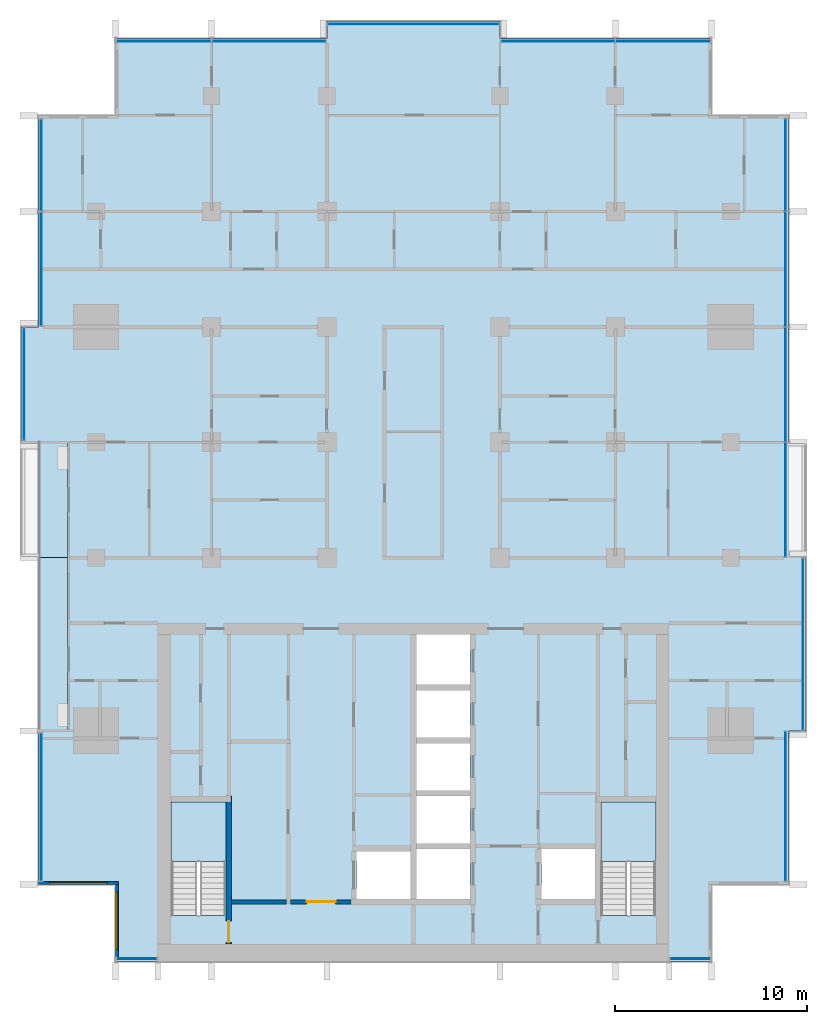
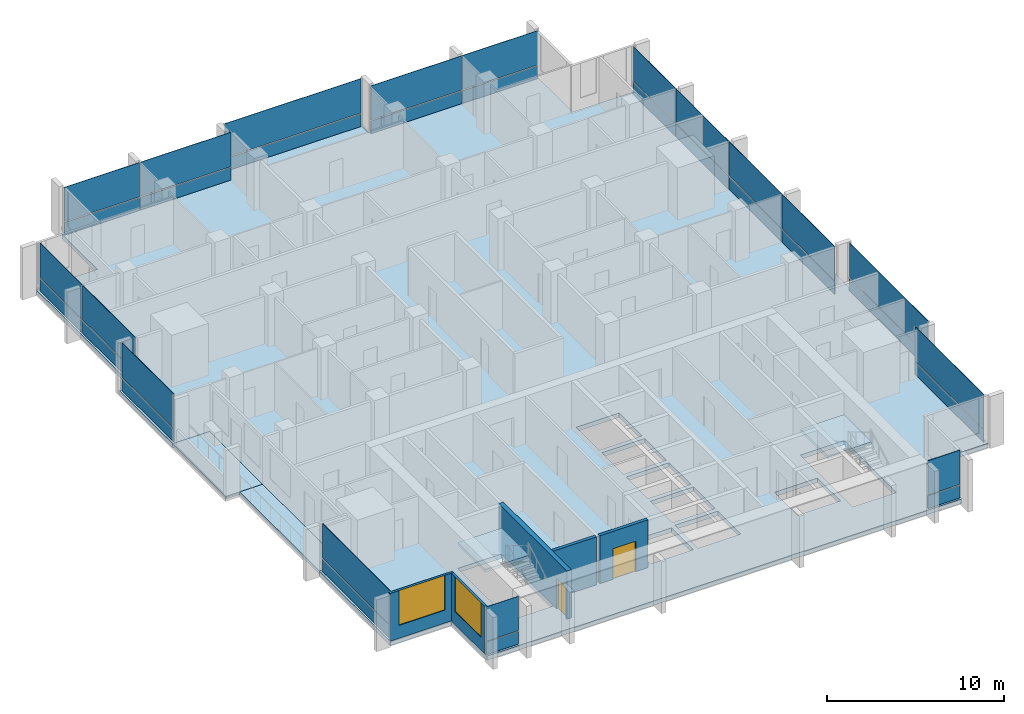
# One storey, part 6 of 17: 34 plates, 5 slabs, 5 walls, 2 doors, 2 windows, 4 openings, 13 elements without a shape of their own.
"""IFC4 building model written with IfcOpenShell, lengths in metres."""

from ifc_helpers import new_model, si_unit, direction, frame, frame_2d, origin, origin_2d, place, context, subcontext, project, spatial, polyline, rectangle, outline, extrude, material, layer, layer_set, type_object, element, fill, aggregate, save


model = new_model("IFC4")

# Units and contexts
model_context = context("Model", 3, precision=1e-05, world=origin(), true_north=direction((0.0, 1.0)))
body_context = subcontext(model_context, "Body", "Model", "MODEL_VIEW")
ifc_project = project(units=[si_unit("LENGTHUNIT", "METRE"), si_unit("AREAUNIT", "SQUARE_METRE"), si_unit("VOLUMEUNIT", "CUBIC_METRE"), si_unit("PLANEANGLEUNIT", "RADIAN"), si_unit("MASSUNIT", "GRAM", prefix="KILO")], contexts=[model_context])

# Site, building, storey
site_placement = place(None, origin())
site = spatial("IfcSite", under=ifc_project, at=site_placement, CompositionType="ELEMENT")
building_placement = place(site_placement, origin())
building = spatial("IfcBuilding", under=site, at=building_placement, Name="Finial Court Residences", CompositionType="ELEMENT")
storey_placement = place(building_placement, frame((0.0, 0.0, 174.5)))
storey = spatial("IfcBuildingStorey", under=building, at=storey_placement, Name="L43", CompositionType="ELEMENT", Elevation=174.5)

# Slabs
ifc_material_1 = material(Name="Concrete C35/45", Category="concrete")
ifc_layer_1 = layer(ifc_material_1, 0.199951171875)
ifc_layer_set_1 = layer_set([ifc_layer_1], Name="Balcony slab, Concrete C35/45 200")
slab_type_1 = type_object("IfcSlabType", Name="Balcony slab, Concrete C35/45 200", PredefinedType="FLOOR", material=ifc_layer_set_1)
slab_1_placement = place(storey_placement, frame((0.0, 0.0, -0.199951171875)))
element("IfcSlab", 1, at=slab_1_placement, inside=storey, type_object=slab_type_1, Name="Balcony L43-W2", PredefinedType="FLOOR", context=body_context, shape_type="SweptSolid", body=[
    extrude(outline(polyline([(-18.0, -13.5), (-18.0, -4.5), (-19.5, -4.5), (-19.5, -13.5), (-18.0, -13.5)])), origin(), (0.0, 0.0, 1.0), 0.199951171875),
])
slab_2_placement = place(storey_placement, frame((0.0, 0.0, -0.199951171875)))
element("IfcSlab", 2, at=slab_2_placement, inside=storey, type_object=slab_type_1, Name="Balcony L43-W3", PredefinedType="FLOOR", context=body_context, shape_type="SweptSolid", body=[
    extrude(outline(polyline([(-20.39990234375, -4.5), (-20.39990234375, 1.5), (-19.5, 1.5), (-18.0, 1.5), (-18.0, -4.5), (-19.5, -4.5), (-20.39990234375, -4.5)])), origin(), (0.0, 0.0, 1.0), 0.199951171875),
])

# Curtain wall, plates
ifc_material_2 = material(Name="Bronze anodised aluminium", Category="aluminium")
curtain_wall_type = type_object("IfcCurtainWallType", Name="Unitised curtain wall, upper zones", PredefinedType="NOTDEFINED", material=ifc_material_2)
curtain_wall_1_placement = place(storey_placement, origin())
curtain_wall_1 = element("IfcCurtainWall", 3, at=curtain_wall_1_placement, inside=storey, type_object=curtain_wall_type, Name="E-L43-CW-N1", PredefinedType="NOTDEFINED")
ifc_layer_2 = layer(ifc_material_2, 0.035888671875)
ifc_layer_set_2 = layer_set([ifc_layer_2], Name="CW2 spandrel panel 36")
plate_type_1 = type_object("IfcPlateType", Name="CW2 spandrel panel 36", PredefinedType="CURTAIN_PANEL", material=ifc_layer_set_2)
plate_1_placement = place(storey_placement, frame((-12.985107421875, 22.35009765625, 0.0), z_axis=(0.0, 0.0, 1.0), x_axis=(1.0, 0.0, 0.0)))
plate_1 = element("IfcPlate", 4, at=plate_1_placement, type_object=plate_type_1, Name="CW2 spandrel 1.1", PredefinedType="CURTAIN_PANEL", context=body_context, shape_type="SweptSolid", body=[
    extrude(rectangle(XDim=4.909912109375, YDim=0.035888671875, at=origin_2d()), origin(), (0.0, 0.0, 1.0), 0.8701171875),
])
plate_2_placement = place(storey_placement, frame((-7.514892578125, 22.35009765625, 0.0), z_axis=(0.0, 0.0, 1.0), x_axis=(1.0, 0.0, 0.0)))
plate_2 = element("IfcPlate", 5, at=plate_2_placement, type_object=plate_type_1, Name="CW2 spandrel 2.1", PredefinedType="CURTAIN_PANEL", context=body_context, shape_type="SweptSolid", body=[
    extrude(rectangle(XDim=5.909912109375, YDim=0.035888671875, at=origin_2d()), origin(), (0.0, 0.0, 1.0), 0.8701171875),
])

# Curtain wall, plate
curtain_wall_2_placement = place(storey_placement, origin())
curtain_wall_2 = element("IfcCurtainWall", 6, at=curtain_wall_2_placement, inside=storey, type_object=curtain_wall_type, Name="E-L43-CW-N2", PredefinedType="NOTDEFINED")
plate_3_placement = place(storey_placement, frame((0.0, 23.25, 0.0), z_axis=(0.0, 0.0, 1.0), x_axis=(1.0, 0.0, 0.0)))
plate_3 = element("IfcPlate", 7, at=plate_3_placement, type_object=plate_type_1, Name="CW2 spandrel 1.1", PredefinedType="CURTAIN_PANEL", context=body_context, shape_type="SweptSolid", body=[
    extrude(rectangle(XDim=8.8798828125, YDim=0.035888671875, at=origin_2d()), origin(), (0.0, 0.0, 1.0), 0.8701171875),
])

# Curtain wall, plates
curtain_wall_3_placement = place(storey_placement, origin())
curtain_wall_3 = element("IfcCurtainWall", 8, at=curtain_wall_3_placement, inside=storey, type_object=curtain_wall_type, Name="E-L43-CW-N3", PredefinedType="NOTDEFINED")
plate_4_placement = place(storey_placement, frame((7.514892578125, 22.35009765625, 0.0), z_axis=(0.0, 0.0, 1.0), x_axis=(1.0, 0.0, 0.0)))
plate_4 = element("IfcPlate", 9, at=plate_4_placement, type_object=plate_type_1, Name="CW2 spandrel 1.1", PredefinedType="CURTAIN_PANEL", context=body_context, shape_type="SweptSolid", body=[
    extrude(rectangle(XDim=5.909912109375, YDim=0.035888671875, at=origin_2d()), origin(), (0.0, 0.0, 1.0), 0.8701171875),
])
plate_5_placement = place(storey_placement, frame((12.985107421875, 22.35009765625, 0.0), z_axis=(0.0, 0.0, 1.0), x_axis=(1.0, 0.0, 0.0)))
plate_5 = element("IfcPlate", 10, at=plate_5_placement, type_object=plate_type_1, Name="CW2 spandrel 2.1", PredefinedType="CURTAIN_PANEL", context=body_context, shape_type="SweptSolid", body=[
    extrude(rectangle(XDim=4.909912109375, YDim=0.035888671875, at=origin_2d()), origin(), (0.0, 0.0, 1.0), 0.8701171875),
])

# Curtain wall, plate
curtain_wall_4_placement = place(storey_placement, origin())
curtain_wall_4 = element("IfcCurtainWall", 11, at=curtain_wall_4_placement, inside=storey, type_object=curtain_wall_type, Name="E-L43-CW-E4", PredefinedType="NOTDEFINED")
plate_6_placement = place(storey_placement, frame((19.35009765625, -17.425048828125, 0.0), z_axis=(0.0, 0.0, 1.0), x_axis=(0.0, 1.0, 0.0)))
plate_6 = element("IfcPlate", 12, at=plate_6_placement, type_object=plate_type_1, Name="CW2 spandrel 1.1", PredefinedType="CURTAIN_PANEL", context=body_context, shape_type="SweptSolid", body=[
    extrude(rectangle(XDim=7.72998046875, YDim=0.035888671875, at=origin_2d()), origin(), (0.0, 0.0, 1.0), 0.8701171875),
])

curtain_wall_5_placement = place(storey_placement, origin())
curtain_wall_5 = element("IfcCurtainWall", 13, at=curtain_wall_5_placement, inside=storey, type_object=curtain_wall_type, Name="E-L43-CW-E5", PredefinedType="NOTDEFINED")
plate_7_placement = place(storey_placement, frame((20.25, -9.0, 0.0), z_axis=(0.0, 0.0, 1.0), x_axis=(0.0, 1.0, 0.0)))
plate_7 = element("IfcPlate", 14, at=plate_7_placement, type_object=plate_type_1, Name="CW2 spandrel 1.1", PredefinedType="CURTAIN_PANEL", context=body_context, shape_type="SweptSolid", body=[
    extrude(rectangle(XDim=8.8798828125, YDim=0.035888671875, at=origin_2d()), origin(), (0.0, 0.0, 1.0), 0.8701171875),
])

# Curtain wall, plates
curtain_wall_6_placement = place(storey_placement, origin())
curtain_wall_6 = element("IfcCurtainWall", 15, at=curtain_wall_6_placement, inside=storey, type_object=curtain_wall_type, Name="E-L43-CW-E6", PredefinedType="NOTDEFINED")
plate_8_placement = place(storey_placement, frame((19.35009765625, -1.485107421875, 0.0), z_axis=(0.0, 0.0, 1.0), x_axis=(0.0, 1.0, 0.0)))
plate_8 = element("IfcPlate", 16, at=plate_8_placement, type_object=plate_type_1, Name="CW2 spandrel 1.1", PredefinedType="CURTAIN_PANEL", context=body_context, shape_type="SweptSolid", body=[
    extrude(rectangle(XDim=5.909912109375, YDim=0.035888671875, at=origin_2d()), origin(), (0.0, 0.0, 1.0), 0.8701171875),
])
plate_9_placement = place(storey_placement, frame((19.35009765625, 4.5, 0.0), z_axis=(0.0, 0.0, 1.0), x_axis=(0.0, 1.0, 0.0)))
plate_9 = element("IfcPlate", 17, at=plate_9_placement, type_object=plate_type_1, Name="CW2 spandrel 2.1", PredefinedType="CURTAIN_PANEL", context=body_context, shape_type="SweptSolid", body=[
    extrude(rectangle(XDim=5.93994140625, YDim=0.035888671875, at=origin_2d()), origin(), (0.0, 0.0, 1.0), 0.8701171875),
])
plate_10_placement = place(storey_placement, frame((19.35009765625, 10.5, 0.0), z_axis=(0.0, 0.0, 1.0), x_axis=(0.0, 1.0, 0.0)))
plate_10 = element("IfcPlate", 18, at=plate_10_placement, type_object=plate_type_1, Name="CW2 spandrel 3.1", PredefinedType="CURTAIN_PANEL", context=body_context, shape_type="SweptSolid", body=[
    extrude(rectangle(XDim=5.93994140625, YDim=0.035888671875, at=origin_2d()), origin(), (0.0, 0.0, 1.0), 0.8701171875),
])
plate_11_placement = place(storey_placement, frame((19.35009765625, 15.909912109375, 0.0), z_axis=(0.0, 0.0, 1.0), x_axis=(0.0, 1.0, 0.0)))
plate_11 = element("IfcPlate", 19, at=plate_11_placement, type_object=plate_type_1, Name="CW2 spandrel 4.1", PredefinedType="CURTAIN_PANEL", context=body_context, shape_type="SweptSolid", body=[
    extrude(rectangle(XDim=4.760009765625, YDim=0.035888671875, at=origin_2d()), origin(), (0.0, 0.0, 1.0), 0.8701171875),
])

# Curtain wall, plate
curtain_wall_7_placement = place(storey_placement, origin())
curtain_wall_7 = element("IfcCurtainWall", 20, at=curtain_wall_7_placement, inside=storey, type_object=curtain_wall_type, Name="E-L43-CW-S7", PredefinedType="NOTDEFINED")
plate_12_placement = place(storey_placement, frame((-14.39990234375, -25.35009765625, 0.0), z_axis=(0.0, 0.0, 1.0), x_axis=(1.0, 0.0, 0.0)))
plate_12 = element("IfcPlate", 21, at=plate_12_placement, type_object=plate_type_1, Name="CW2 spandrel 1.1", PredefinedType="CURTAIN_PANEL", context=body_context, shape_type="SweptSolid", body=[
    extrude(rectangle(XDim=2.080078125, YDim=0.035888671875, at=origin_2d()), origin(), (0.0, 0.0, 1.0), 0.8701171875),
])

curtain_wall_8_placement = place(storey_placement, origin())
curtain_wall_8 = element("IfcCurtainWall", 22, at=curtain_wall_8_placement, inside=storey, type_object=curtain_wall_type, Name="E-L43-CW-S8", PredefinedType="NOTDEFINED")
plate_13_placement = place(storey_placement, frame((14.39990234375, -25.35009765625, 0.0), z_axis=(0.0, 0.0, 1.0), x_axis=(1.0, 0.0, 0.0)))
plate_13 = element("IfcPlate", 23, at=plate_13_placement, type_object=plate_type_1, Name="CW2 spandrel 1.1", PredefinedType="CURTAIN_PANEL", context=body_context, shape_type="SweptSolid", body=[
    extrude(rectangle(XDim=2.080078125, YDim=0.035888671875, at=origin_2d()), origin(), (0.0, 0.0, 1.0), 0.8701171875),
])

curtain_wall_9_placement = place(storey_placement, origin())
curtain_wall_9 = element("IfcCurtainWall", 24, at=curtain_wall_9_placement, inside=storey, type_object=curtain_wall_type, Name="E-L43-CW-W9", PredefinedType="NOTDEFINED")
plate_14_placement = place(storey_placement, frame((-19.35009765625, -17.46240234375, 0.0), z_axis=(0.0, 0.0, 1.0), x_axis=(0.0, 1.0, 0.0)))
plate_14 = element("IfcPlate", 25, at=plate_14_placement, type_object=plate_type_1, Name="CW2 spandrel 1.1", PredefinedType="CURTAIN_PANEL", context=body_context, shape_type="SweptSolid", body=[
    extrude(rectangle(XDim=7.655029296875, YDim=0.035888671875, at=origin_2d()), origin(), (0.0, 0.0, 1.0), 0.8701171875),
])

curtain_wall_10_placement = place(storey_placement, origin())
curtain_wall_10 = element("IfcCurtainWall", 26, at=curtain_wall_10_placement, inside=storey, type_object=curtain_wall_type, Name="E-L43-CW-W10", PredefinedType="NOTDEFINED")
plate_15_placement = place(storey_placement, frame((-20.25, 4.53759765625, 0.0), z_axis=(0.0, 0.0, 1.0), x_axis=(0.0, 1.0, 0.0)))
plate_15 = element("IfcPlate", 27, at=plate_15_placement, type_object=plate_type_1, Name="CW2 spandrel 1.1", PredefinedType="CURTAIN_PANEL", context=body_context, shape_type="SweptSolid", body=[
    extrude(rectangle(XDim=5.804931640625, YDim=0.035888671875, at=origin_2d()), origin(), (0.0, 0.0, 1.0), 0.8701171875),
])

# Curtain wall, plates
curtain_wall_11_placement = place(storey_placement, origin())
curtain_wall_11 = element("IfcCurtainWall", 28, at=curtain_wall_11_placement, inside=storey, type_object=curtain_wall_type, Name="E-L43-CW-W11", PredefinedType="NOTDEFINED")
plate_16_placement = place(storey_placement, frame((-19.35009765625, 10.514892578125, 0.0), z_axis=(0.0, 0.0, 1.0), x_axis=(0.0, 1.0, 0.0)))
plate_16 = element("IfcPlate", 29, at=plate_16_placement, type_object=plate_type_1, Name="CW2 spandrel 1.1", PredefinedType="CURTAIN_PANEL", context=body_context, shape_type="SweptSolid", body=[
    extrude(rectangle(XDim=5.909912109375, YDim=0.035888671875, at=origin_2d()), origin(), (0.0, 0.0, 1.0), 0.8701171875),
])
plate_17_placement = place(storey_placement, frame((-19.35009765625, 15.909912109375, 0.0), z_axis=(0.0, 0.0, 1.0), x_axis=(0.0, 1.0, 0.0)))
plate_17 = element("IfcPlate", 30, at=plate_17_placement, type_object=plate_type_1, Name="CW2 spandrel 2.1", PredefinedType="CURTAIN_PANEL", context=body_context, shape_type="SweptSolid", body=[
    extrude(rectangle(XDim=4.760009765625, YDim=0.035888671875, at=origin_2d()), origin(), (0.0, 0.0, 1.0), 0.8701171875),
])

# Plate
ifc_material_3 = material(Name="Clear low-e glass", Category="glass")
ifc_layer_3 = layer(ifc_material_3, 0.030029296875)
ifc_layer_set_3 = layer_set([ifc_layer_3], Name="CW2 vision glass 30")
plate_type_2 = type_object("IfcPlateType", Name="CW2 vision glass 30", PredefinedType="CURTAIN_PANEL", material=ifc_layer_set_3)
plate_18_placement = place(storey_placement, frame((-12.985107421875, 22.35009765625, 0.929931640625), z_axis=(0.0, 0.0, 1.0), x_axis=(1.0, 0.0, 0.0)))
plate_18 = element("IfcPlate", 31, at=plate_18_placement, type_object=plate_type_2, Name="CW2 glass 1.2", PredefinedType="CURTAIN_PANEL", context=body_context, shape_type="SweptSolid", body=[
    extrude(rectangle(XDim=4.909912109375, YDim=0.030029296875, at=origin_2d()), origin(), (0.0, 0.0, 1.0), 2.3701171875),
])

plate_19_placement = place(storey_placement, frame((-7.514892578125, 22.35009765625, 0.929931640625), z_axis=(0.0, 0.0, 1.0), x_axis=(1.0, 0.0, 0.0)))
plate_19 = element("IfcPlate", 32, at=plate_19_placement, type_object=plate_type_2, Name="CW2 glass 2.2", PredefinedType="CURTAIN_PANEL", context=body_context, shape_type="SweptSolid", body=[
    extrude(rectangle(XDim=5.909912109375, YDim=0.030029296875, at=origin_2d()), origin(), (0.0, 0.0, 1.0), 2.3701171875),
])

aggregate(curtain_wall_1, [plate_1, plate_18, plate_2, plate_19])

plate_20_placement = place(storey_placement, frame((0.0, 23.25, 0.929931640625), z_axis=(0.0, 0.0, 1.0), x_axis=(1.0, 0.0, 0.0)))
plate_20 = element("IfcPlate", 33, at=plate_20_placement, type_object=plate_type_2, Name="CW2 glass 1.2", PredefinedType="CURTAIN_PANEL", context=body_context, shape_type="SweptSolid", body=[
    extrude(rectangle(XDim=8.8798828125, YDim=0.030029296875, at=origin_2d()), origin(), (0.0, 0.0, 1.0), 2.3701171875),
])

aggregate(curtain_wall_2, [plate_3, plate_20])

plate_21_placement = place(storey_placement, frame((7.514892578125, 22.35009765625, 0.929931640625), z_axis=(0.0, 0.0, 1.0), x_axis=(1.0, 0.0, 0.0)))
plate_21 = element("IfcPlate", 34, at=plate_21_placement, type_object=plate_type_2, Name="CW2 glass 1.2", PredefinedType="CURTAIN_PANEL", context=body_context, shape_type="SweptSolid", body=[
    extrude(rectangle(XDim=5.909912109375, YDim=0.030029296875, at=origin_2d()), origin(), (0.0, 0.0, 1.0), 2.3701171875),
])

plate_22_placement = place(storey_placement, frame((12.985107421875, 22.35009765625, 0.929931640625), z_axis=(0.0, 0.0, 1.0), x_axis=(1.0, 0.0, 0.0)))
plate_22 = element("IfcPlate", 35, at=plate_22_placement, type_object=plate_type_2, Name="CW2 glass 2.2", PredefinedType="CURTAIN_PANEL", context=body_context, shape_type="SweptSolid", body=[
    extrude(rectangle(XDim=4.909912109375, YDim=0.030029296875, at=origin_2d()), origin(), (0.0, 0.0, 1.0), 2.3701171875),
])

aggregate(curtain_wall_3, [plate_4, plate_21, plate_5, plate_22])

plate_23_placement = place(storey_placement, frame((19.35009765625, -17.425048828125, 0.929931640625), z_axis=(0.0, 0.0, 1.0), x_axis=(0.0, 1.0, 0.0)))
plate_23 = element("IfcPlate", 36, at=plate_23_placement, type_object=plate_type_2, Name="CW2 glass 1.2", PredefinedType="CURTAIN_PANEL", context=body_context, shape_type="SweptSolid", body=[
    extrude(rectangle(XDim=7.72998046875, YDim=0.030029296875, at=origin_2d()), origin(), (0.0, 0.0, 1.0), 2.3701171875),
])

aggregate(curtain_wall_4, [plate_6, plate_23])

plate_24_placement = place(storey_placement, frame((20.25, -9.0, 0.929931640625), z_axis=(0.0, 0.0, 1.0), x_axis=(0.0, 1.0, 0.0)))
plate_24 = element("IfcPlate", 37, at=plate_24_placement, type_object=plate_type_2, Name="CW2 glass 1.2", PredefinedType="CURTAIN_PANEL", context=body_context, shape_type="SweptSolid", body=[
    extrude(rectangle(XDim=8.8798828125, YDim=0.030029296875, at=origin_2d()), origin(), (0.0, 0.0, 1.0), 2.3701171875),
])

aggregate(curtain_wall_5, [plate_7, plate_24])

plate_25_placement = place(storey_placement, frame((19.35009765625, -1.485107421875, 0.929931640625), z_axis=(0.0, 0.0, 1.0), x_axis=(0.0, 1.0, 0.0)))
plate_25 = element("IfcPlate", 38, at=plate_25_placement, type_object=plate_type_2, Name="CW2 glass 1.2", PredefinedType="CURTAIN_PANEL", context=body_context, shape_type="SweptSolid", body=[
    extrude(rectangle(XDim=5.909912109375, YDim=0.030029296875, at=origin_2d()), origin(), (0.0, 0.0, 1.0), 2.3701171875),
])

plate_26_placement = place(storey_placement, frame((19.35009765625, 4.5, 0.929931640625), z_axis=(0.0, 0.0, 1.0), x_axis=(0.0, 1.0, 0.0)))
plate_26 = element("IfcPlate", 39, at=plate_26_placement, type_object=plate_type_2, Name="CW2 glass 2.2", PredefinedType="CURTAIN_PANEL", context=body_context, shape_type="SweptSolid", body=[
    extrude(rectangle(XDim=5.93994140625, YDim=0.030029296875, at=origin_2d()), origin(), (0.0, 0.0, 1.0), 2.3701171875),
])

plate_27_placement = place(storey_placement, frame((19.35009765625, 10.5, 0.929931640625), z_axis=(0.0, 0.0, 1.0), x_axis=(0.0, 1.0, 0.0)))
plate_27 = element("IfcPlate", 40, at=plate_27_placement, type_object=plate_type_2, Name="CW2 glass 3.2", PredefinedType="CURTAIN_PANEL", context=body_context, shape_type="SweptSolid", body=[
    extrude(rectangle(XDim=5.93994140625, YDim=0.030029296875, at=origin_2d()), origin(), (0.0, 0.0, 1.0), 2.3701171875),
])

plate_28_placement = place(storey_placement, frame((19.35009765625, 15.909912109375, 0.929931640625), z_axis=(0.0, 0.0, 1.0), x_axis=(0.0, 1.0, 0.0)))
plate_28 = element("IfcPlate", 41, at=plate_28_placement, type_object=plate_type_2, Name="CW2 glass 4.2", PredefinedType="CURTAIN_PANEL", context=body_context, shape_type="SweptSolid", body=[
    extrude(rectangle(XDim=4.760009765625, YDim=0.030029296875, at=origin_2d()), origin(), (0.0, 0.0, 1.0), 2.3701171875),
])

aggregate(curtain_wall_6, [plate_8, plate_25, plate_9, plate_26, plate_10, plate_27, plate_11, plate_28])

plate_29_placement = place(storey_placement, frame((-14.39990234375, -25.35009765625, 0.929931640625), z_axis=(0.0, 0.0, 1.0), x_axis=(1.0, 0.0, 0.0)))
plate_29 = element("IfcPlate", 42, at=plate_29_placement, type_object=plate_type_2, Name="CW2 glass 1.2", PredefinedType="CURTAIN_PANEL", context=body_context, shape_type="SweptSolid", body=[
    extrude(rectangle(XDim=2.080078125, YDim=0.030029296875, at=origin_2d()), origin(), (0.0, 0.0, 1.0), 2.3701171875),
])

aggregate(curtain_wall_7, [plate_12, plate_29])

plate_30_placement = place(storey_placement, frame((14.39990234375, -25.35009765625, 0.929931640625), z_axis=(0.0, 0.0, 1.0), x_axis=(1.0, 0.0, 0.0)))
plate_30 = element("IfcPlate", 43, at=plate_30_placement, type_object=plate_type_2, Name="CW2 glass 1.2", PredefinedType="CURTAIN_PANEL", context=body_context, shape_type="SweptSolid", body=[
    extrude(rectangle(XDim=2.080078125, YDim=0.030029296875, at=origin_2d()), origin(), (0.0, 0.0, 1.0), 2.3701171875),
])

aggregate(curtain_wall_8, [plate_13, plate_30])

plate_31_placement = place(storey_placement, frame((-19.35009765625, -17.46240234375, 0.929931640625), z_axis=(0.0, 0.0, 1.0), x_axis=(0.0, 1.0, 0.0)))
plate_31 = element("IfcPlate", 44, at=plate_31_placement, type_object=plate_type_2, Name="CW2 glass 1.2", PredefinedType="CURTAIN_PANEL", context=body_context, shape_type="SweptSolid", body=[
    extrude(rectangle(XDim=7.655029296875, YDim=0.030029296875, at=origin_2d()), origin(), (0.0, 0.0, 1.0), 2.3701171875),
])

aggregate(curtain_wall_9, [plate_14, plate_31])

plate_32_placement = place(storey_placement, frame((-20.25, 4.53759765625, 0.929931640625), z_axis=(0.0, 0.0, 1.0), x_axis=(0.0, 1.0, 0.0)))
plate_32 = element("IfcPlate", 45, at=plate_32_placement, type_object=plate_type_2, Name="CW2 glass 1.2", PredefinedType="CURTAIN_PANEL", context=body_context, shape_type="SweptSolid", body=[
    extrude(rectangle(XDim=5.804931640625, YDim=0.030029296875, at=origin_2d()), origin(), (0.0, 0.0, 1.0), 2.3701171875),
])

aggregate(curtain_wall_10, [plate_15, plate_32])

plate_33_placement = place(storey_placement, frame((-19.35009765625, 10.514892578125, 0.929931640625), z_axis=(0.0, 0.0, 1.0), x_axis=(0.0, 1.0, 0.0)))
plate_33 = element("IfcPlate", 46, at=plate_33_placement, type_object=plate_type_2, Name="CW2 glass 1.2", PredefinedType="CURTAIN_PANEL", context=body_context, shape_type="SweptSolid", body=[
    extrude(rectangle(XDim=5.909912109375, YDim=0.030029296875, at=origin_2d()), origin(), (0.0, 0.0, 1.0), 2.3701171875),
])

plate_34_placement = place(storey_placement, frame((-19.35009765625, 15.909912109375, 0.929931640625), z_axis=(0.0, 0.0, 1.0), x_axis=(0.0, 1.0, 0.0)))
plate_34 = element("IfcPlate", 47, at=plate_34_placement, type_object=plate_type_2, Name="CW2 glass 2.2", PredefinedType="CURTAIN_PANEL", context=body_context, shape_type="SweptSolid", body=[
    extrude(rectangle(XDim=4.760009765625, YDim=0.030029296875, at=origin_2d()), origin(), (0.0, 0.0, 1.0), 2.3701171875),
])

aggregate(curtain_wall_11, [plate_16, plate_33, plate_17, plate_34])

# Stair, slab
ifc_material_4 = material(Name="Concrete C50/60", Category="concrete")
stair_type = type_object("IfcStairType", Name="Exit stair 22 risers of 163.6 mm", PredefinedType="HALF_TURN_STAIR", material=ifc_material_4)
stair_1_placement = place(storey_placement, origin())
stair_1 = element("IfcStair", 48, at=stair_1_placement, inside=storey, type_object=stair_type, Name="L43 Exit stair ST-1", PredefinedType="HALF_TURN_STAIR")
ifc_layer_4 = layer(ifc_material_4, 0.199951171875)
ifc_layer_set_4 = layer_set([ifc_layer_4], Name="Exit stair landing")
slab_type_2 = type_object("IfcSlabType", Name="Exit stair landing", PredefinedType="LANDING", material=ifc_layer_set_4)
slab_3_placement = place(storey_placement, frame((0.0, 0.0, 1.60009765625)))
slab_3 = element("IfcSlab", 49, at=slab_3_placement, type_object=slab_type_2, Name="ST-1 landing 1", PredefinedType="LANDING", context=body_context, shape_type="SweptSolid", body=[
    extrude(outline(polyline([(-9.75, -20.300048828125), (-9.75, -17.199951171875), (-12.60009765625, -17.199951171875), (-12.60009765625, -20.300048828125), (-9.75, -20.300048828125)])), origin(), (0.0, 0.0, 1.0), 0.199951171875),
])
aggregate(stair_1, [slab_3])

stair_2_placement = place(storey_placement, origin())
stair_2 = element("IfcStair", 50, at=stair_2_placement, inside=storey, type_object=stair_type, Name="L43 Exit stair ST-2", PredefinedType="HALF_TURN_STAIR")
slab_4_placement = place(storey_placement, frame((0.0, 0.0, 1.60009765625)))
slab_4 = element("IfcSlab", 51, at=slab_4_placement, type_object=slab_type_2, Name="ST-2 landing 1", PredefinedType="LANDING", context=body_context, shape_type="SweptSolid", body=[
    extrude(outline(polyline([(12.60009765625, -20.300048828125), (12.60009765625, -17.199951171875), (9.75, -17.199951171875), (9.75, -20.300048828125), (12.60009765625, -20.300048828125)])), origin(), (0.0, 0.0, 1.0), 0.199951171875),
])
aggregate(stair_2, [slab_4])

# Slab
ifc_material_5 = material(Name="Concrete C40/50", Category="concrete")
ifc_layer_5 = layer(ifc_material_5, 0.300048828125)
ifc_layer_set_5 = layer_set([ifc_layer_5], Name="Flat plate slab 300 Concrete C40/50")
slab_type_3 = type_object("IfcSlabType", Name="Flat plate slab 300 Concrete C40/50", PredefinedType="FLOOR", material=ifc_layer_set_5)
slab_5_placement = place(storey_placement, frame((0.0, 0.0, -0.300048828125)))
element("IfcSlab", 52, at=slab_5_placement, inside=storey, type_object=slab_type_3, Name="S:SLAB:L43", PredefinedType="FLOOR", context=body_context, shape_type="SweptSolid", body=[
    extrude(outline(polyline([(20.39990234375, 1.5), (20.39990234375, -4.5), (20.39990234375, -13.5), (19.5, -13.5), (19.5, -21.5), (15.5, -21.5), (15.5, -25.5), (-15.5, -25.5), (-15.5, -21.5), (-19.5, -21.5), (-19.5, -13.5), (-18.0, -13.5), (-18.0, -4.5), (-18.0, 1.5), (-19.5, 1.5), (-20.39990234375, 1.5), (-20.39990234375, 7.5), (-19.5, 7.5), (-19.5, 18.5), (-15.5, 18.5), (-15.5, 22.5), (-4.5, 22.5), (-4.5, 23.39990234375), (4.5, 23.39990234375), (4.5, 22.5), (15.5, 22.5), (15.5, 18.5), (19.5, 18.5), (19.5, 1.5), (20.39990234375, 1.5)]), holes=[polyline([(-0.14990234375, -19.77001953125), (-2.949951171875, -19.77001953125), (-2.949951171875, -22.25), (-0.14990234375, -22.25), (-0.14990234375, -19.77001953125)]), polyline([(2.949951171875, -19.64990234375), (0.14990234375, -19.64990234375), (0.14990234375, -22.25), (2.949951171875, -22.25), (2.949951171875, -19.64990234375)]), polyline([(9.449951171875, -19.64990234375), (6.64990234375, -19.64990234375), (6.64990234375, -22.25), (9.449951171875, -22.25), (9.449951171875, -19.64990234375)]), polyline([(-12.60009765625, -17.199951171875), (-12.60009765625, -23.09912109375), (-9.75, -23.09912109375), (-9.75, -17.199951171875), (-12.60009765625, -17.199951171875)]), polyline([(9.75, -17.199951171875), (9.75, -23.09912109375), (12.60009765625, -23.09912109375), (12.60009765625, -17.199951171875), (9.75, -17.199951171875)]), polyline([(2.949951171875, -16.89990234375), (0.14990234375, -16.89990234375), (0.14990234375, -19.35009765625), (2.949951171875, -19.35009765625), (2.949951171875, -16.89990234375)]), polyline([(2.949951171875, -14.14990234375), (0.14990234375, -14.14990234375), (0.14990234375, -16.60009765625), (2.949951171875, -16.60009765625), (2.949951171875, -14.14990234375)]), polyline([(2.949951171875, -13.85009765625), (2.949951171875, -11.39990234375), (0.14990234375, -11.39990234375), (0.14990234375, -13.85009765625), (2.949951171875, -13.85009765625)]), polyline([(2.949951171875, -11.10009765625), (2.949951171875, -8.5), (0.14990234375, -8.5), (0.14990234375, -11.10009765625), (2.949951171875, -11.10009765625)])]), origin(), (0.0, 0.0, 1.0), 0.300048828125),
])

# Wall, opening, door
ifc_material_6 = material(Name="Concrete C70/85", Category="concrete")
ifc_layer_6 = layer(ifc_material_6, 0.300048828125)
ifc_layer_set_6 = layer_set([ifc_layer_6], Name="Lift shaft and stair wall 300 Concrete C70/85")
wall_type_1 = type_object("IfcWallType", Name="Lift shaft and stair wall 300 Concrete C70/85", PredefinedType="SHEAR", material=ifc_layer_set_6)
wall_1_placement = place(storey_placement, frame((-9.60009765625, -24.60009765625, 0.0), z_axis=(0.0, 0.0, 1.0), x_axis=(0.0, 1.0, 0.0)))
wall_1 = element("IfcWall", 53, at=wall_1_placement, inside=storey, type_object=wall_type_1, Name="Core wall L43-21", PredefinedType="SHEAR", context=body_context, shape_type="SweptSolid", body=[
    extrude(rectangle(XDim=7.7001953125, YDim=0.300048828125, at=frame_2d((3.85009765625, 0.0))), origin(), (0.0, 0.0, 1.0), 3.300048828125),
])
opening_1_placement = place(wall_1_placement, frame((0.10009765625, 0.0, 0.0)))
opening_1 = element("IfcOpeningElement", 54, at=opening_1_placement, cuts=wall_1, Name="Opening L43-C19", PredefinedType="OPENING", context=body_context, shape_type="SweptSolid", body=[
    extrude(rectangle(XDim=1.10009765625, YDim=2.10009765625, at=frame_2d((0.550048828125, 1.050048828125))), frame((0.0, 0.159912109375, 0.0), z_axis=(0.0, -1.0, 0.0), x_axis=(1.0, 0.0, 0.0)), (0.0, 0.0, 1.0), 0.320068359375),
])
ifc_material_7 = material(Name="Steel fire door", Category="steel")
door_type_1 = type_object("IfcDoorType", Name="Stair door 1100 x 2100 EI 90", OperationType="NOTDEFINED", PredefinedType="DOOR", material=ifc_material_7)
door_1_placement = place(opening_1_placement, origin())
door_1 = element("IfcDoor", 55, at=door_1_placement, inside=storey, type_object=door_type_1, Name="Stair door L43-C19", OperationType="SINGLE_SWING_LEFT", OverallHeight=2.10009765625, OverallWidth=1.10009765625, PredefinedType="DOOR", context=body_context, shape_type="SweptSolid", body=[
    extrude(rectangle(XDim=1.10009765625, YDim=2.10009765625, at=frame_2d((0.550048828125, 1.050048828125))), frame((0.0, 0.02490234375, 0.0), z_axis=(0.0, -1.0, 0.0), x_axis=(1.0, 0.0, 0.0)), (0.0, 0.0, 1.0), 0.050048828125),
])
fill(opening_1, door_1)

# Wall, opening, window
ifc_material_8 = material(Name="Natural limestone", Category="masonry")
ifc_layer_7 = layer(ifc_material_8, 0.14990234375)
ifc_layer_set_7 = layer_set([ifc_layer_7], Name="Limestone clad wall 150")
wall_type_2 = type_object("IfcWallType", Name="Limestone clad wall 150", PredefinedType="SOLIDWALL", material=ifc_layer_set_7)
wall_2_placement = place(storey_placement, frame((-15.425048828125, -25.262451171875, 0.0), z_axis=(0.0, 0.0, 1.0), x_axis=(0.0, 1.0, 0.0)))
wall_2 = element("IfcWall", 56, at=wall_2_placement, inside=storey, type_object=wall_type_2, Name="E-L43-NWW12", PredefinedType="SOLIDWALL", context=body_context, shape_type="SweptSolid", body=[
    extrude(rectangle(XDim=3.762451171875, YDim=0.14990234375, at=frame_2d((1.88134765625, 0.0))), origin(), (0.0, 0.0, 1.0), 3.300048828125),
])
opening_2_placement = place(wall_2_placement, frame((0.401123046875, 0.0, 0.89990234375)))
opening_2 = element("IfcOpeningElement", 57, at=opening_2_placement, cuts=wall_2, Name="Opening WE43-01", PredefinedType="OPENING", context=body_context, shape_type="SweptSolid", body=[
    extrude(rectangle(XDim=2.9599609375, YDim=2.39990234375, at=frame_2d((1.47998046875, 1.199951171875))), frame((0.0, 0.0849609375, 0.0), z_axis=(0.0, -1.0, 0.0), x_axis=(1.0, 0.0, 0.0)), (0.0, 0.0, 1.0), 0.169921875),
])
window_type_1 = type_object("IfcWindowType", Name="Corner window 2960 x 2400", PartitioningType="SINGLE_PANEL", PredefinedType="WINDOW", material=ifc_material_3)
window_1_placement = place(opening_2_placement, origin())
window_1 = element("IfcWindow", 58, at=window_1_placement, inside=storey, type_object=window_type_1, Name="E-L43-NWW12-W1", OverallHeight=2.39990234375, OverallWidth=2.9599609375, PartitioningType="SINGLE_PANEL", PredefinedType="WINDOW", context=body_context, shape_type="SweptSolid", body=[
    extrude(rectangle(XDim=2.9599609375, YDim=2.39990234375, at=frame_2d((1.47998046875, 1.199951171875))), frame((0.0, 0.030029296875, 0.0), z_axis=(0.0, -1.0, 0.0), x_axis=(1.0, 0.0, 0.0)), (0.0, 0.0, 1.0), 0.06005859375),
])
fill(opening_2, window_1)

wall_3_placement = place(storey_placement, frame((-15.35009765625, -21.425048828125, 0.0), z_axis=(0.0, 0.0, 1.0), x_axis=(-1.0, 0.0, 0.0)))
wall_3 = element("IfcWall", 59, at=wall_3_placement, inside=storey, type_object=wall_type_2, Name="E-L43-NWS13", PredefinedType="SOLIDWALL", context=body_context, shape_type="SweptSolid", body=[
    extrude(rectangle(XDim=4.14990234375, YDim=0.14990234375, at=frame_2d((2.074951171875, 0.0))), origin(), (0.0, 0.0, 1.0), 3.300048828125),
])
opening_3_placement = place(wall_3_placement, frame((0.574951171875, 0.0, 0.89990234375)))
opening_3 = element("IfcOpeningElement", 60, at=opening_3_placement, cuts=wall_3, Name="Opening WE43-02", PredefinedType="OPENING", context=body_context, shape_type="SweptSolid", body=[
    extrude(rectangle(XDim=3.0, YDim=2.39990234375, at=frame_2d((1.5, 1.199951171875))), frame((0.0, 0.0849609375, 0.0), z_axis=(0.0, -1.0, 0.0), x_axis=(1.0, 0.0, 0.0)), (0.0, 0.0, 1.0), 0.169921875),
])
window_type_2 = type_object("IfcWindowType", Name="Corner window 3000 x 2400", PartitioningType="SINGLE_PANEL", PredefinedType="WINDOW", material=ifc_material_3)
window_2_placement = place(opening_3_placement, origin())
window_2 = element("IfcWindow", 61, at=window_2_placement, inside=storey, type_object=window_type_2, Name="E-L43-NWS13-W1", OverallHeight=2.39990234375, OverallWidth=3.0, PartitioningType="SINGLE_PANEL", PredefinedType="WINDOW", context=body_context, shape_type="SweptSolid", body=[
    extrude(rectangle(XDim=3.0, YDim=2.39990234375, at=frame_2d((1.5, 1.199951171875))), frame((0.0, 0.030029296875, 0.0), z_axis=(0.0, -1.0, 0.0), x_axis=(1.0, 0.0, 0.0)), (0.0, 0.0, 1.0), 0.06005859375),
])
fill(opening_3, window_2)

# Wall
ifc_material_9 = material(Name="Fire-rated gypsum board partition")
ifc_layer_8 = layer(ifc_material_9, 0.199951171875)
ifc_layer_set_8 = layer_set([ifc_layer_8], Name="Riser room wall 200 EI 120")
wall_type_3 = type_object("IfcWallType", Name="Riser room wall 200 EI 120", PredefinedType="PARTITIONING", material=ifc_layer_set_8)
wall_4_placement = place(storey_placement, frame((-9.449951171875, -22.39990234375, 0.0), z_axis=(0.0, 0.0, 1.0), x_axis=(1.0, 0.0, 0.0)))
element("IfcWall", 62, at=wall_4_placement, inside=storey, type_object=wall_type_3, Name="Core partition L43-01", PredefinedType="PARTITIONING", context=body_context, shape_type="SweptSolid", body=[
    extrude(rectangle(XDim=2.849853515625, YDim=0.199951171875, at=frame_2d((1.4248046875, 0.0))), origin(), (0.0, 0.0, 1.0), 3.300048828125),
])

# Wall, opening, door
ifc_layer_9 = layer(ifc_material_9, 0.199951171875)
ifc_layer_set_9 = layer_set([ifc_layer_9], Name="Stair passage wall 200 EI 180")
wall_type_4 = type_object("IfcWallType", Name="Stair passage wall 200 EI 180", PredefinedType="PARTITIONING", material=ifc_layer_set_9)
wall_5_placement = place(storey_placement, frame((-3.25, -22.39990234375, 0.0), z_axis=(0.0, 0.0, 1.0), x_axis=(-1.0, 0.0, 0.0)))
wall_5 = element("IfcWall", 63, at=wall_5_placement, inside=storey, type_object=wall_type_4, Name="Core partition L43-02", PredefinedType="PARTITIONING", context=body_context, shape_type="SweptSolid", body=[
    extrude(rectangle(XDim=3.14990234375, YDim=0.199951171875, at=frame_2d((1.574951171875, 0.0))), origin(), (0.0, 0.0, 1.0), 3.300048828125),
])
opening_4_placement = place(wall_5_placement, frame((0.800048828125, 0.0, 0.0)))
opening_4 = element("IfcOpeningElement", 64, at=opening_4_placement, cuts=wall_5, Name="Opening L43-C03", PredefinedType="OPENING", context=body_context, shape_type="SweptSolid", body=[
    extrude(rectangle(XDim=1.5, YDim=2.10009765625, at=frame_2d((0.75, 1.050048828125))), frame((0.0, 0.10986328125, 0.0), z_axis=(0.0, -1.0, 0.0), x_axis=(1.0, 0.0, 0.0)), (0.0, 0.0, 1.0), 0.219970703125),
])
door_type_2 = type_object("IfcDoorType", Name="Lift lobby door 1500 x 2100 EI 60", OperationType="DOUBLE_DOOR_SINGLE_SWING", PredefinedType="DOOR", material=ifc_material_7)
door_2_placement = place(opening_4_placement, origin())
door_2 = element("IfcDoor", 65, at=door_2_placement, inside=storey, type_object=door_type_2, Name="Lift lobby door L43-C03", OperationType="DOUBLE_DOOR_SINGLE_SWING", OverallHeight=2.10009765625, OverallWidth=1.5, PredefinedType="DOOR", context=body_context, shape_type="SweptSolid", body=[
    extrude(rectangle(XDim=1.5, YDim=2.10009765625, at=frame_2d((0.75, 1.050048828125))), frame((0.0, 0.02490234375, 0.0), z_axis=(0.0, -1.0, 0.0), x_axis=(1.0, 0.0, 0.0)), (0.0, 0.0, 1.0), 0.050048828125),
])
fill(opening_4, door_2)

save(model, "model.ifc")
